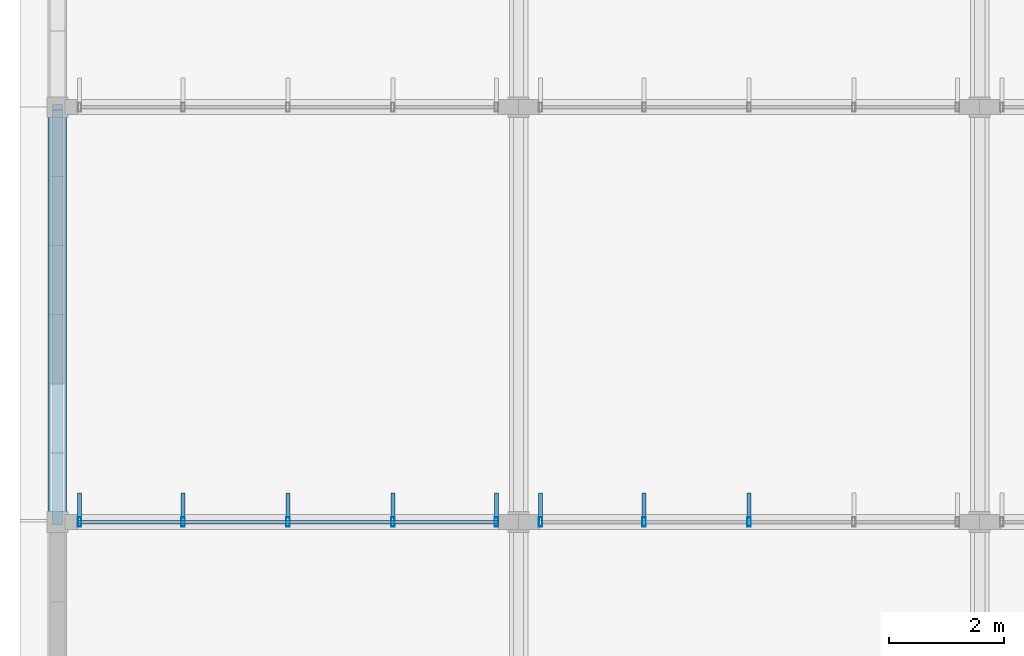
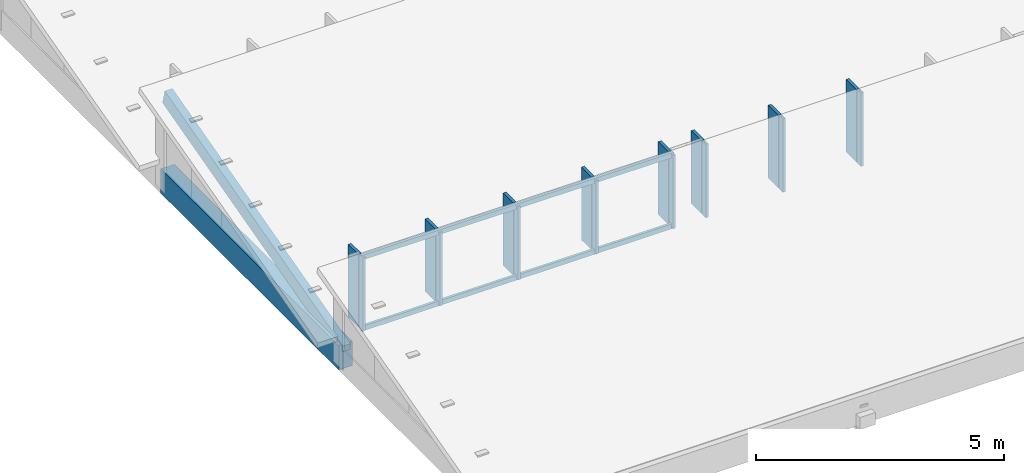
# One storey, part 7 of 94: 20 members, 2 elements without a shape of their own.
"""IFC4 building model written with IfcOpenShell, lengths in metres."""

from ifc_helpers import new_model, si_unit, direction, frame, origin, origin_2d, place, context, subcontext, project, spatial, rectangle, hollow_rectangle, extrude, material, material_profile, profile_set, type_object, element, aggregate, save


model = new_model("IFC4")

# Units and contexts
model_context = context("Model", 3, precision=1e-05, world=origin(), true_north=direction((0.0, 1.0)))
body_context = subcontext(model_context, "Body", "Model", "MODEL_VIEW")
ifc_project = project(units=[si_unit("LENGTHUNIT", "METRE"), si_unit("AREAUNIT", "SQUARE_METRE"), si_unit("VOLUMEUNIT", "CUBIC_METRE"), si_unit("PLANEANGLEUNIT", "RADIAN"), si_unit("MASSUNIT", "GRAM", prefix="KILO")], contexts=[model_context])

# Site, building, storey
site_placement = place(None, origin())
site = spatial("IfcSite", under=ifc_project, at=site_placement, CompositionType="ELEMENT")
building_placement = place(site_placement, origin())
building = spatial("IfcBuilding", under=site, at=building_placement, Name="Chiffa Square Polytechnic", CompositionType="ELEMENT")
storey_placement = place(building_placement, frame((0.0, 0.0, 18.0)))
storey = spatial("IfcBuildingStorey", under=building, at=storey_placement, Name="L04", CompositionType="ELEMENT", Elevation=18.0)

# Curtain wall, members
ifc_material_1 = material(Name="Aluminium EN AW-6060 T66 and glulam shading", Category="wood")
curtain_wall_type_1 = type_object("IfcCurtainWallType", Name="CW-VERT-450X380", PredefinedType="USERDEFINED", material=ifc_material_1)
curtain_wall_1_placement = place(storey_placement, origin())
curtain_wall_1 = element("IfcCurtainWall", 1, at=curtain_wall_1_placement, inside=storey, type_object=curtain_wall_type_1, Name="Curtain wall CW-V6-SAW1-1", ObjectType="CURTAIN WALL", PredefinedType="USERDEFINED")
ifc_material_2 = material(Name="Aluminium EN AW-6060 T66", Category="aluminium")
ifc_material_profile_1 = material_profile(ifc_material_2, hollow_rectangle(XDim=0.06005859375, YDim=0.159912109375, WallThickness=0.00390625, at=origin_2d()), Name="ALU 60x160x4")
ifc_profile_set_1 = profile_set([ifc_material_profile_1], Name="Aluminium EN AW-6060 T66")
member_type_1 = type_object("IfcMemberType", Name="CWM-ALU-65X150", PredefinedType="MULLION", material=ifc_profile_set_1)
member_1_placement = place(storey_placement, frame((7.614990234375, 43.800048828125, 0.699951171875), z_axis=(0.0, 0.0, 1.0), x_axis=(1.0, 0.0, 0.0)))
member_1 = element("IfcMember", 2, at=member_1_placement, type_object=member_type_1, Name="Curtain wall mullion CW-V6-SAW1-1-M00", PredefinedType="MULLION", context=body_context, shape_type="SweptSolid", body=[
    extrude(hollow_rectangle(XDim=0.06005859375, YDim=0.159912109375, WallThickness=0.00390625, at=origin_2d()), origin(), (0.0, 0.0, 1.0), 1.81201171875),
])
member_2_placement = place(storey_placement, frame((5.820068359375, 43.800048828125, 0.699951171875), z_axis=(0.0, 0.0, 1.0), x_axis=(1.0, 0.0, 0.0)))
member_2 = element("IfcMember", 3, at=member_2_placement, type_object=member_type_1, Name="Curtain wall mullion CW-V6-SAW1-1-M01", PredefinedType="MULLION", context=body_context, shape_type="SweptSolid", body=[
    extrude(hollow_rectangle(XDim=0.06005859375, YDim=0.159912109375, WallThickness=0.00390625, at=origin_2d()), origin(), (0.0, 0.0, 1.0), 1.81201171875),
])
member_3_placement = place(storey_placement, frame((4.0, 43.800048828125, 0.699951171875), z_axis=(0.0, 0.0, 1.0), x_axis=(1.0, 0.0, 0.0)))
member_3 = element("IfcMember", 4, at=member_3_placement, type_object=member_type_1, Name="Curtain wall mullion CW-V6-SAW1-1-M02", PredefinedType="MULLION", context=body_context, shape_type="SweptSolid", body=[
    extrude(hollow_rectangle(XDim=0.06005859375, YDim=0.159912109375, WallThickness=0.00390625, at=origin_2d()), origin(), (0.0, 0.0, 1.0), 1.81201171875),
])
member_4_placement = place(storey_placement, frame((2.179931640625, 43.800048828125, 0.699951171875), z_axis=(0.0, 0.0, 1.0), x_axis=(1.0, 0.0, 0.0)))
member_4 = element("IfcMember", 5, at=member_4_placement, type_object=member_type_1, Name="Curtain wall mullion CW-V6-SAW1-1-M03", PredefinedType="MULLION", context=body_context, shape_type="SweptSolid", body=[
    extrude(hollow_rectangle(XDim=0.06005859375, YDim=0.159912109375, WallThickness=0.00390625, at=origin_2d()), origin(), (0.0, 0.0, 1.0), 1.81201171875),
])
member_5_placement = place(storey_placement, frame((0.385009765625, 43.800048828125, 0.699951171875), z_axis=(0.0, 0.0, 1.0), x_axis=(1.0, 0.0, 0.0)))
member_5 = element("IfcMember", 6, at=member_5_placement, type_object=member_type_1, Name="Curtain wall mullion CW-V6-SAW1-1-M04", PredefinedType="MULLION", context=body_context, shape_type="SweptSolid", body=[
    extrude(hollow_rectangle(XDim=0.06005859375, YDim=0.159912109375, WallThickness=0.00390625, at=origin_2d()), origin(), (0.0, 0.0, 1.0), 1.81201171875),
])

curtain_wall_type_2 = type_object("IfcCurtainWallType", Name="CW-VERT-300X380", PredefinedType="USERDEFINED", material=ifc_material_1)
curtain_wall_2_placement = place(storey_placement, origin())
curtain_wall_2 = element("IfcCurtainWall", 7, at=curtain_wall_2_placement, inside=storey, type_object=curtain_wall_type_2, Name="Curtain wall CW-V6-SAW1-2", ObjectType="CURTAIN WALL", PredefinedType="USERDEFINED")
member_6_placement = place(storey_placement, frame((12.0, 43.800048828125, 0.699951171875), z_axis=(0.0, 0.0, 1.0), x_axis=(1.0, 0.0, 0.0)))
member_6 = element("IfcMember", 8, at=member_6_placement, type_object=member_type_1, Name="Curtain wall mullion CW-V6-SAW1-2-M02", PredefinedType="MULLION", context=body_context, shape_type="SweptSolid", body=[
    extrude(hollow_rectangle(XDim=0.06005859375, YDim=0.159912109375, WallThickness=0.00390625, at=origin_2d()), origin(), (0.0, 0.0, 1.0), 1.81201171875),
])
member_7_placement = place(storey_placement, frame((10.179931640625, 43.800048828125, 0.699951171875), z_axis=(0.0, 0.0, 1.0), x_axis=(1.0, 0.0, 0.0)))
member_7 = element("IfcMember", 9, at=member_7_placement, type_object=member_type_1, Name="Curtain wall mullion CW-V6-SAW1-2-M03", PredefinedType="MULLION", context=body_context, shape_type="SweptSolid", body=[
    extrude(hollow_rectangle(XDim=0.06005859375, YDim=0.159912109375, WallThickness=0.00390625, at=origin_2d()), origin(), (0.0, 0.0, 1.0), 1.81201171875),
])
member_8_placement = place(storey_placement, frame((8.385009765625, 43.800048828125, 0.699951171875), z_axis=(0.0, 0.0, 1.0), x_axis=(1.0, 0.0, 0.0)))
member_8 = element("IfcMember", 10, at=member_8_placement, type_object=member_type_1, Name="Curtain wall mullion CW-V6-SAW1-2-M04", PredefinedType="MULLION", context=body_context, shape_type="SweptSolid", body=[
    extrude(hollow_rectangle(XDim=0.06005859375, YDim=0.159912109375, WallThickness=0.00390625, at=origin_2d()), origin(), (0.0, 0.0, 1.0), 1.81201171875),
])

# Member
ifc_material_3 = material(Name="Glulam GL28h", Category="wood")
ifc_material_profile_2 = material_profile(ifc_material_3, rectangle(XDim=0.070068359375, YDim=0.419921875, at=origin_2d()), Name="GL28h 70x420")
ifc_profile_set_2 = profile_set([ifc_material_profile_2], Name="Glulam GL28h")
member_type_2 = type_object("IfcMemberType", Name="CWM-GL-70X420", PredefinedType="MULLION", material=ifc_profile_set_2)
member_9_placement = place(storey_placement, frame((7.614990234375, 44.092041015625, 0.7099609375), z_axis=(0.0, 0.0, 1.0), x_axis=(-1.0, 0.0, 0.0)))
member_9 = element("IfcMember", 11, at=member_9_placement, type_object=member_type_2, Name="Exterior glulam solar fin CW-V6-SAW1-1-FN00", PredefinedType="MULLION", context=body_context, shape_type="SweptSolid", body=[
    extrude(rectangle(XDim=0.070068359375, YDim=0.419921875, at=origin_2d()), origin(), (0.0, 0.0, 1.0), 1.7919921875),
])

member_10_placement = place(storey_placement, frame((5.820068359375, 44.092041015625, 0.7099609375), z_axis=(0.0, 0.0, 1.0), x_axis=(-1.0, 0.0, 0.0)))
member_10 = element("IfcMember", 12, at=member_10_placement, type_object=member_type_2, Name="Exterior glulam solar fin CW-V6-SAW1-1-FN01", PredefinedType="MULLION", context=body_context, shape_type="SweptSolid", body=[
    extrude(rectangle(XDim=0.070068359375, YDim=0.419921875, at=origin_2d()), origin(), (0.0, 0.0, 1.0), 1.7919921875),
])

member_11_placement = place(storey_placement, frame((4.0, 44.092041015625, 0.7099609375), z_axis=(0.0, 0.0, 1.0), x_axis=(-1.0, 0.0, 0.0)))
member_11 = element("IfcMember", 13, at=member_11_placement, type_object=member_type_2, Name="Exterior glulam solar fin CW-V6-SAW1-1-FN02", PredefinedType="MULLION", context=body_context, shape_type="SweptSolid", body=[
    extrude(rectangle(XDim=0.070068359375, YDim=0.419921875, at=origin_2d()), origin(), (0.0, 0.0, 1.0), 1.7919921875),
])

member_12_placement = place(storey_placement, frame((2.179931640625, 44.092041015625, 0.7099609375), z_axis=(0.0, 0.0, 1.0), x_axis=(-1.0, 0.0, 0.0)))
member_12 = element("IfcMember", 14, at=member_12_placement, type_object=member_type_2, Name="Exterior glulam solar fin CW-V6-SAW1-1-FN03", PredefinedType="MULLION", context=body_context, shape_type="SweptSolid", body=[
    extrude(rectangle(XDim=0.070068359375, YDim=0.419921875, at=origin_2d()), origin(), (0.0, 0.0, 1.0), 1.7919921875),
])

member_13_placement = place(storey_placement, frame((0.385009765625, 44.092041015625, 0.7099609375), z_axis=(0.0, 0.0, 1.0), x_axis=(-1.0, 0.0, 0.0)))
member_13 = element("IfcMember", 15, at=member_13_placement, type_object=member_type_2, Name="Exterior glulam solar fin CW-V6-SAW1-1-FN04", PredefinedType="MULLION", context=body_context, shape_type="SweptSolid", body=[
    extrude(rectangle(XDim=0.070068359375, YDim=0.419921875, at=origin_2d()), origin(), (0.0, 0.0, 1.0), 1.7919921875),
])

member_14_placement = place(storey_placement, frame((12.0, 44.092041015625, 0.7099609375), z_axis=(0.0, 0.0, 1.0), x_axis=(-1.0, 0.0, 0.0)))
member_14 = element("IfcMember", 16, at=member_14_placement, type_object=member_type_2, Name="Exterior glulam solar fin CW-V6-SAW1-2-FN02", PredefinedType="MULLION", context=body_context, shape_type="SweptSolid", body=[
    extrude(rectangle(XDim=0.070068359375, YDim=0.419921875, at=origin_2d()), origin(), (0.0, 0.0, 1.0), 1.7919921875),
])

member_15_placement = place(storey_placement, frame((10.179931640625, 44.092041015625, 0.7099609375), z_axis=(0.0, 0.0, 1.0), x_axis=(-1.0, 0.0, 0.0)))
member_15 = element("IfcMember", 17, at=member_15_placement, type_object=member_type_2, Name="Exterior glulam solar fin CW-V6-SAW1-2-FN03", PredefinedType="MULLION", context=body_context, shape_type="SweptSolid", body=[
    extrude(rectangle(XDim=0.070068359375, YDim=0.419921875, at=origin_2d()), origin(), (0.0, 0.0, 1.0), 1.7919921875),
])

member_16_placement = place(storey_placement, frame((8.385009765625, 44.092041015625, 0.7099609375), z_axis=(0.0, 0.0, 1.0), x_axis=(-1.0, 0.0, 0.0)))
member_16 = element("IfcMember", 18, at=member_16_placement, type_object=member_type_2, Name="Exterior glulam solar fin CW-V6-SAW1-2-FN04", PredefinedType="MULLION", context=body_context, shape_type="SweptSolid", body=[
    extrude(rectangle(XDim=0.070068359375, YDim=0.419921875, at=origin_2d()), origin(), (0.0, 0.0, 1.0), 1.7919921875),
])

aggregate(curtain_wall_2, [member_6, member_14, member_7, member_15, member_8, member_16])

ifc_material_profile_3 = material_profile(ifc_material_2, hollow_rectangle(XDim=0.06005859375, YDim=0.1201171875, WallThickness=0.00390625, at=origin_2d()), Name="ALU 60x120x4")
ifc_profile_set_3 = profile_set([ifc_material_profile_3], Name="Aluminium EN AW-6060 T66")
member_type_3 = type_object("IfcMemberType", Name="CWT-ALU-65X120", PredefinedType="USERDEFINED", material=ifc_profile_set_3)
member_17_placement = place(storey_placement, frame((7.64208984375, 43.800048828125, 0.72998046875), z_axis=(-1.0, 0.0, 0.0), x_axis=(0.0, -1.0, 0.0)))
member_17 = element("IfcMember", 19, at=member_17_placement, type_object=member_type_3, Name="Curtain wall transom CW-V6-SAW1-1-T01", ObjectType="TRANSOM", PredefinedType="USERDEFINED", context=body_context, shape_type="SweptSolid", body=[
    extrude(hollow_rectangle(XDim=0.06005859375, YDim=0.1201171875, WallThickness=0.00390625, at=origin_2d()), origin(), (0.0, 0.0, 1.0), 7.2841796875),
])

member_18_placement = place(storey_placement, frame((7.64208984375, 43.800048828125, 2.48193359375), z_axis=(-1.0, 0.0, 0.0), x_axis=(0.0, -1.0, 0.0)))
member_18 = element("IfcMember", 20, at=member_18_placement, type_object=member_type_3, Name="Curtain wall transom CW-V6-SAW1-1-T02", ObjectType="TRANSOM", PredefinedType="USERDEFINED", context=body_context, shape_type="SweptSolid", body=[
    extrude(hollow_rectangle(XDim=0.06005859375, YDim=0.1201171875, WallThickness=0.00390625, at=origin_2d()), origin(), (0.0, 0.0, 1.0), 7.2841796875),
])

aggregate(curtain_wall_1, [member_1, member_9, member_2, member_10, member_3, member_11, member_4, member_12, member_5, member_13, member_17, member_18])

# Members
ifc_material_4 = material(Name="Glulam GL32c", Category="wood")
ifc_material_profile_4 = material_profile(ifc_material_4, rectangle(XDim=0.320068359375, YDim=0.60009765625, at=origin_2d()), Name="GL32c 320x600")
ifc_profile_set_4 = profile_set([ifc_material_profile_4], Name="Glulam GL32c")
member_type_4 = type_object("IfcMemberType", Name="MEM-CHORD-GL320", PredefinedType="CHORD", material=ifc_profile_set_4)
member_19_placement = place(storey_placement, frame((0.0, 43.800048828125, 0.179931640625), z_axis=(0.0, 1.0, 0.0), x_axis=(-1.0, 0.0, 0.0)))
element("IfcMember", 21, at=member_19_placement, inside=storey, type_object=member_type_4, Name="Studio sawtooth tie chord TCB-V6-SAW-006", PredefinedType="CHORD", context=body_context, shape_type="SweptSolid", body=[
    extrude(rectangle(XDim=0.320068359375, YDim=0.60009765625, at=origin_2d()), origin(), (0.0, 0.0, 1.0), 7.199951171875),
])
ifc_material_profile_5 = material_profile(ifc_material_3, rectangle(XDim=0.179931640625, YDim=0.360107421875, at=origin_2d()), Name="GL28h 180x360")
ifc_profile_set_5 = profile_set([ifc_material_profile_5], Name="Glulam GL28h")
member_type_5 = type_object("IfcMemberType", Name="MEM-RFT-GL180", PredefinedType="RAFTER", material=ifc_profile_set_5)
member_20_placement = place(storey_placement, frame((0.0, 43.800048828125, 0.300048828125), z_axis=(0.0, 0.965934748059, 0.258785746309), x_axis=(-1.0, 0.0, 0.0)))
element("IfcMember", 22, at=member_20_placement, inside=storey, type_object=member_type_5, Name="Studio sawtooth glulam rafter RF-V6-L04-006", PredefinedType="RAFTER", context=body_context, shape_type="SweptSolid", body=[
    extrude(rectangle(XDim=0.179931640625, YDim=0.360107421875, at=origin_2d()), origin(), (0.0, 0.0, 1.0), 7.453857421875),
])

save(model, "model.ifc")
